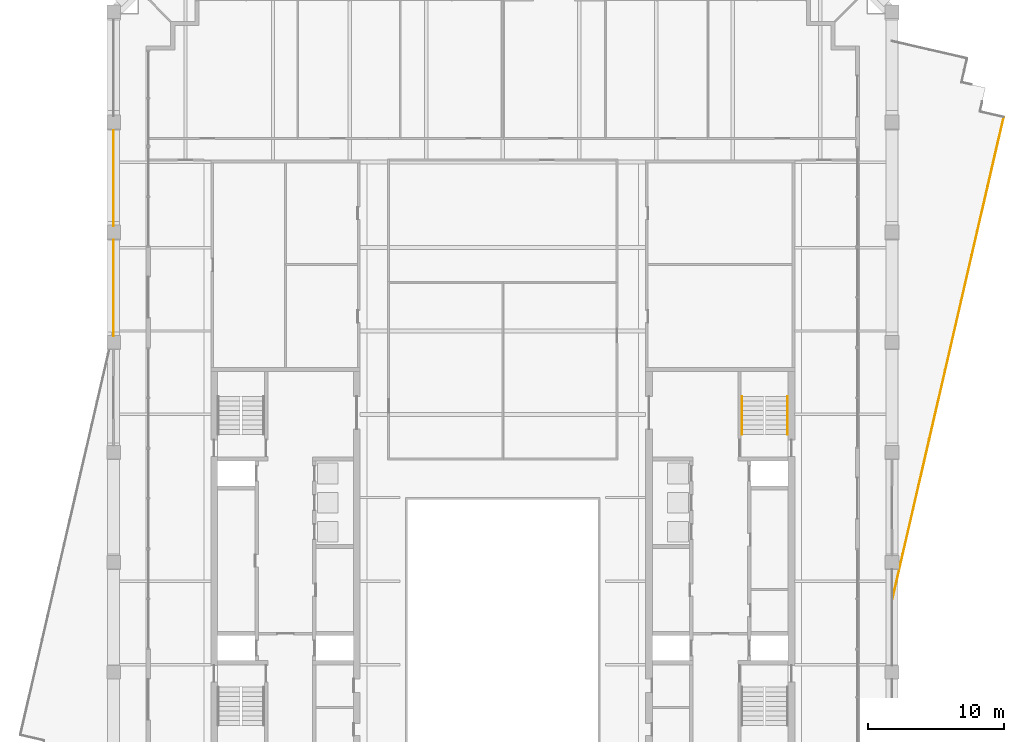
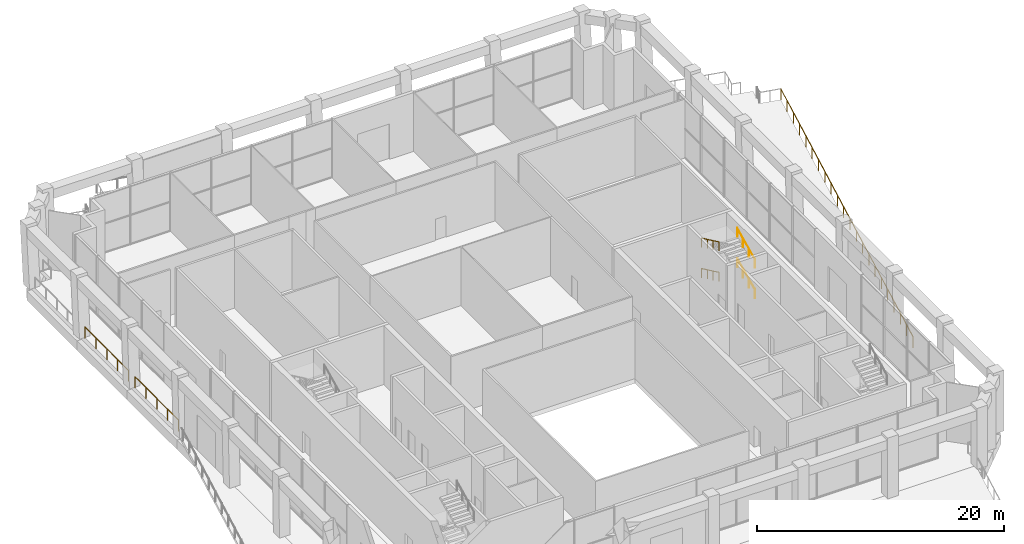
# One storey, part 18 of 20: 7 railings.
"""IFC4 building model written with IfcOpenShell, lengths in metres."""

from ifc_helpers import new_model, si_unit, direction, frame, origin, origin_2d, place, context, subcontext, project, spatial, circle, extrude, material, type_object, element, save


model = new_model("IFC4")

# Units and contexts
model_context = context("Model", 3, precision=1e-05, world=origin(), true_north=direction((0.0, 1.0)))
body_context = subcontext(model_context, "Body", "Model", "MODEL_VIEW")
ifc_project = project(units=[si_unit("LENGTHUNIT", "METRE"), si_unit("AREAUNIT", "SQUARE_METRE"), si_unit("VOLUMEUNIT", "CUBIC_METRE"), si_unit("PLANEANGLEUNIT", "RADIAN"), si_unit("MASSUNIT", "GRAM", prefix="KILO")], contexts=[model_context])

# Site, building, storey
site_placement = place(None, origin())
site = spatial("IfcSite", under=ifc_project, at=site_placement, CompositionType="ELEMENT")
building_placement = place(site_placement, origin())
building = spatial("IfcBuilding", under=site, at=building_placement, Name="Ogive Exchange Tower", CompositionType="ELEMENT")
storey_placement = place(building_placement, frame((0.0, 0.0, 303.0)))
storey = spatial("IfcBuildingStorey", under=building, at=storey_placement, Name="L66", CompositionType="ELEMENT", Elevation=303.0)

# Railings
ifc_material_1 = material(Name="Stainless steel 316", Category="steel")
railing_type_1 = type_object("IfcRailingType", Name="Balustrade 1100 glass and stainless steel", PredefinedType="BALUSTRADE", material=ifc_material_1)
railing_1_placement = place(storey_placement, frame((36.8681640625, 44.164306640625, 0.0)))
element("IfcRailing", 1, at=railing_1_placement, inside=storey, type_object=railing_type_1, Name="Terrace balustrade 11", PredefinedType="BALUSTRADE", context=body_context, shape_type="SweptSolid", body=[
    extrude(circle(Radius=0.02392578125, at=origin_2d()), frame((0.0, 0.0, 1.076171875), z_axis=(-0.224954190216, -0.974369340807, 0.0), x_axis=(0.974369340807, -0.224954190216, 0.0)), (0.0, 0.0, 1.0), 36.532958984375),
    extrude(circle(Radius=0.02099609375, at=origin_2d()), origin(), (0.0, 0.0, 1.0), 1.052001953125),
    extrude(circle(Radius=0.02099609375, at=origin_2d()), frame((-0.391357421875, -1.695068359375, 0.0)), (0.0, 0.0, 1.0), 1.052001953125),
    extrude(circle(Radius=0.02099609375, at=origin_2d()), frame((-0.78271484375, -3.39013671875, 0.0)), (0.0, 0.0, 1.0), 1.052001953125),
    extrude(circle(Radius=0.02099609375, at=origin_2d()), frame((-1.174072265625, -5.085205078125, 0.0)), (0.0, 0.0, 1.0), 1.052001953125),
    extrude(circle(Radius=0.02099609375, at=origin_2d()), frame((-1.5654296875, -6.7802734375, 0.0)), (0.0, 0.0, 1.0), 1.052001953125),
    extrude(circle(Radius=0.02099609375, at=origin_2d()), frame((-1.956787109375, -8.475341796875, 0.0)), (0.0, 0.0, 1.0), 1.052001953125),
    extrude(circle(Radius=0.02099609375, at=origin_2d()), frame((-2.34814453125, -10.17041015625, 0.0)), (0.0, 0.0, 1.0), 1.052001953125),
    extrude(circle(Radius=0.02099609375, at=origin_2d()), frame((-2.739501953125, -11.865478515625, 0.0)), (0.0, 0.0, 1.0), 1.052001953125),
    extrude(circle(Radius=0.02099609375, at=origin_2d()), frame((-3.130859375, -13.560546875, 0.0)), (0.0, 0.0, 1.0), 1.052001953125),
    extrude(circle(Radius=0.02099609375, at=origin_2d()), frame((-3.522216796875, -15.255615234375, 0.0)), (0.0, 0.0, 1.0), 1.052001953125),
    extrude(circle(Radius=0.02099609375, at=origin_2d()), frame((-3.91357421875, -16.95068359375, 0.0)), (0.0, 0.0, 1.0), 1.052001953125),
    extrude(circle(Radius=0.02099609375, at=origin_2d()), frame((-4.3046875, -18.64599609375, 0.0)), (0.0, 0.0, 1.0), 1.052001953125),
    extrude(circle(Radius=0.02099609375, at=origin_2d()), frame((-4.696044921875, -20.341064453125, 0.0)), (0.0, 0.0, 1.0), 1.052001953125),
    extrude(circle(Radius=0.02099609375, at=origin_2d()), frame((-5.08740234375, -22.0361328125, 0.0)), (0.0, 0.0, 1.0), 1.052001953125),
    extrude(circle(Radius=0.02099609375, at=origin_2d()), frame((-5.478759765625, -23.731201171875, 0.0)), (0.0, 0.0, 1.0), 1.052001953125),
    extrude(circle(Radius=0.02099609375, at=origin_2d()), frame((-5.8701171875, -25.42626953125, 0.0)), (0.0, 0.0, 1.0), 1.052001953125),
    extrude(circle(Radius=0.02099609375, at=origin_2d()), frame((-6.261474609375, -27.121337890625, 0.0)), (0.0, 0.0, 1.0), 1.052001953125),
    extrude(circle(Radius=0.02099609375, at=origin_2d()), frame((-6.65283203125, -28.81640625, 0.0)), (0.0, 0.0, 1.0), 1.052001953125),
    extrude(circle(Radius=0.02099609375, at=origin_2d()), frame((-7.044189453125, -30.511474609375, 0.0)), (0.0, 0.0, 1.0), 1.052001953125),
    extrude(circle(Radius=0.02099609375, at=origin_2d()), frame((-7.435546875, -32.20654296875, 0.0)), (0.0, 0.0, 1.0), 1.052001953125),
    extrude(circle(Radius=0.02099609375, at=origin_2d()), frame((-7.826904296875, -33.901611328125, 0.0)), (0.0, 0.0, 1.0), 1.052001953125),
    extrude(circle(Radius=0.02099609375, at=origin_2d()), frame((-8.21826171875, -35.5966796875, 0.0)), (0.0, 0.0, 1.0), 1.052001953125),
])
railing_type_2 = type_object("IfcRailingType", Name="Guard 1100 stainless steel and glass", PredefinedType="GUARDRAIL", material=ifc_material_1)
for number, where, name in (
    (2, (-28.64990234375, 43.1943359375, 0.0), "Loggia guard W01"),
    (3, (-28.64990234375, 35.108642578125, 0.0), "Loggia guard W02"),
):
    element("IfcRailing", number, at=place(storey_placement, frame(where)), inside=storey, type_object=railing_type_2, Name=name, PredefinedType="GUARDRAIL", context=body_context, shape_type="SweptSolid", body=[
        extrude(circle(Radius=0.02392578125, at=origin_2d()), frame((0.0, 0.0, 1.076171875), z_axis=(0.0, -1.0, 0.0), x_axis=(1.0, 0.0, 0.0)), (0.0, 0.0, 1.0), 7.045654296875),
        extrude(circle(Radius=0.02099609375, at=origin_2d()), origin(), (0.0, 0.0, 1.0), 1.052001953125),
        extrude(circle(Radius=0.02099609375, at=origin_2d()), frame((0.0, -1.761474609375, 0.0)), (0.0, 0.0, 1.0), 1.052001953125),
        extrude(circle(Radius=0.02099609375, at=origin_2d()), frame((0.0, -3.52294921875, 0.0)), (0.0, 0.0, 1.0), 1.052001953125),
        extrude(circle(Radius=0.02099609375, at=origin_2d()), frame((0.0, -5.2841796875, 0.0)), (0.0, 0.0, 1.0), 1.052001953125),
        extrude(circle(Radius=0.02099609375, at=origin_2d()), frame((0.0, -7.045654296875, 0.0)), (0.0, 0.0, 1.0), 1.052001953125),
    ])
ifc_material_2 = material(Name="Stainless steel", Category="steel")
railing_type_3 = type_object("IfcRailingType", Name="Stair handrail 900", PredefinedType="HANDRAIL", material=ifc_material_2)
railing_2_placement = place(storey_placement, frame((20.949951171875, 20.800048828125, 0.166748046875)))
element("IfcRailing", 4, at=railing_2_placement, inside=storey, type_object=railing_type_3, Name="L66 ST4 stair handrail 1", PredefinedType="HANDRAIL", context=body_context, shape_type="SweptSolid", body=[
    extrude(circle(Radius=0.02392578125, at=origin_2d()), frame((0.0, 0.0, 0.8759765625), z_axis=(0.0, 0.903337615296, 0.428930242338), x_axis=(-1.0, 0.0, 0.0)), (0.0, 0.0, 1.0), 3.1083984375),
    extrude(circle(Radius=0.02099609375, at=origin_2d()), origin(), (0.0, 0.0, 1.0), 0.851806640625),
    extrude(circle(Radius=0.02099609375, at=origin_2d()), frame((0.0, 0.93603515625, 0.4443359375)), (0.0, 0.0, 1.0), 0.851806640625),
    extrude(circle(Radius=0.02099609375, at=origin_2d()), frame((0.0, 1.871826171875, 0.888916015625)), (0.0, 0.0, 1.0), 0.851806640625),
    extrude(circle(Radius=0.02099609375, at=origin_2d()), frame((0.0, 2.807861328125, 1.333251953125)), (0.0, 0.0, 1.0), 0.851806640625),
])
railing_3_placement = place(storey_placement, frame((17.60009765625, 23.60791015625, 1.666748046875)))
element("IfcRailing", 5, at=railing_3_placement, inside=storey, type_object=railing_type_3, Name="L66 ST4 stair handrail 2", PredefinedType="HANDRAIL", context=body_context, shape_type="SweptSolid", body=[
    extrude(circle(Radius=0.02392578125, at=origin_2d()), frame((0.0, 0.0, 0.8759765625), z_axis=(0.0, -0.903337615296, 0.428930242338), x_axis=(1.0, 0.0, 0.0)), (0.0, 0.0, 1.0), 3.1083984375),
    extrude(circle(Radius=0.02099609375, at=origin_2d()), origin(), (0.0, 0.0, 1.0), 0.851806640625),
    extrude(circle(Radius=0.02099609375, at=origin_2d()), frame((0.0, -0.93603515625, 0.4443359375)), (0.0, 0.0, 1.0), 0.851806640625),
    extrude(circle(Radius=0.02099609375, at=origin_2d()), frame((0.0, -1.871826171875, 0.888916015625)), (0.0, 0.0, 1.0), 0.851806640625),
    extrude(circle(Radius=0.02099609375, at=origin_2d()), frame((0.0, -2.807861328125, 1.333251953125)), (0.0, 0.0, 1.0), 0.851806640625),
])
railing_4_placement = place(storey_placement, frame((20.949951171875, 20.800048828125, 3.166748046875)))
element("IfcRailing", 6, at=railing_4_placement, inside=storey, type_object=railing_type_3, Name="L66 ST4 stair handrail 3", PredefinedType="HANDRAIL", context=body_context, shape_type="SweptSolid", body=[
    extrude(circle(Radius=0.02392578125, at=origin_2d()), frame((0.0, 0.0, 0.8759765625), z_axis=(0.0, 0.903337615296, 0.428930242338), x_axis=(-1.0, 0.0, 0.0)), (0.0, 0.0, 1.0), 3.1083984375),
    extrude(circle(Radius=0.02099609375, at=origin_2d()), origin(), (0.0, 0.0, 1.0), 0.851806640625),
    extrude(circle(Radius=0.02099609375, at=origin_2d()), frame((0.0, 0.93603515625, 0.4443359375)), (0.0, 0.0, 1.0), 0.851806640625),
    extrude(circle(Radius=0.02099609375, at=origin_2d()), frame((0.0, 1.871826171875, 0.888916015625)), (0.0, 0.0, 1.0), 0.851806640625),
    extrude(circle(Radius=0.02099609375, at=origin_2d()), frame((0.0, 2.807861328125, 1.333251953125)), (0.0, 0.0, 1.0), 0.851806640625),
])
railing_5_placement = place(storey_placement, frame((17.60009765625, 23.60791015625, 4.666748046875)))
element("IfcRailing", 7, at=railing_5_placement, inside=storey, type_object=railing_type_3, Name="L66 ST4 stair handrail 4", PredefinedType="HANDRAIL", context=body_context, shape_type="SweptSolid", body=[
    extrude(circle(Radius=0.02392578125, at=origin_2d()), frame((0.0, 0.0, 0.8759765625), z_axis=(0.0, -0.903337615296, 0.428930242338), x_axis=(1.0, 0.0, 0.0)), (0.0, 0.0, 1.0), 3.1083984375),
    extrude(circle(Radius=0.02099609375, at=origin_2d()), origin(), (0.0, 0.0, 1.0), 0.851806640625),
    extrude(circle(Radius=0.02099609375, at=origin_2d()), frame((0.0, -0.93603515625, 0.4443359375)), (0.0, 0.0, 1.0), 0.851806640625),
    extrude(circle(Radius=0.02099609375, at=origin_2d()), frame((0.0, -1.871826171875, 0.888916015625)), (0.0, 0.0, 1.0), 0.851806640625),
    extrude(circle(Radius=0.02099609375, at=origin_2d()), frame((0.0, -2.807861328125, 1.333251953125)), (0.0, 0.0, 1.0), 0.851806640625),
])

save(model, "model.ifc")
